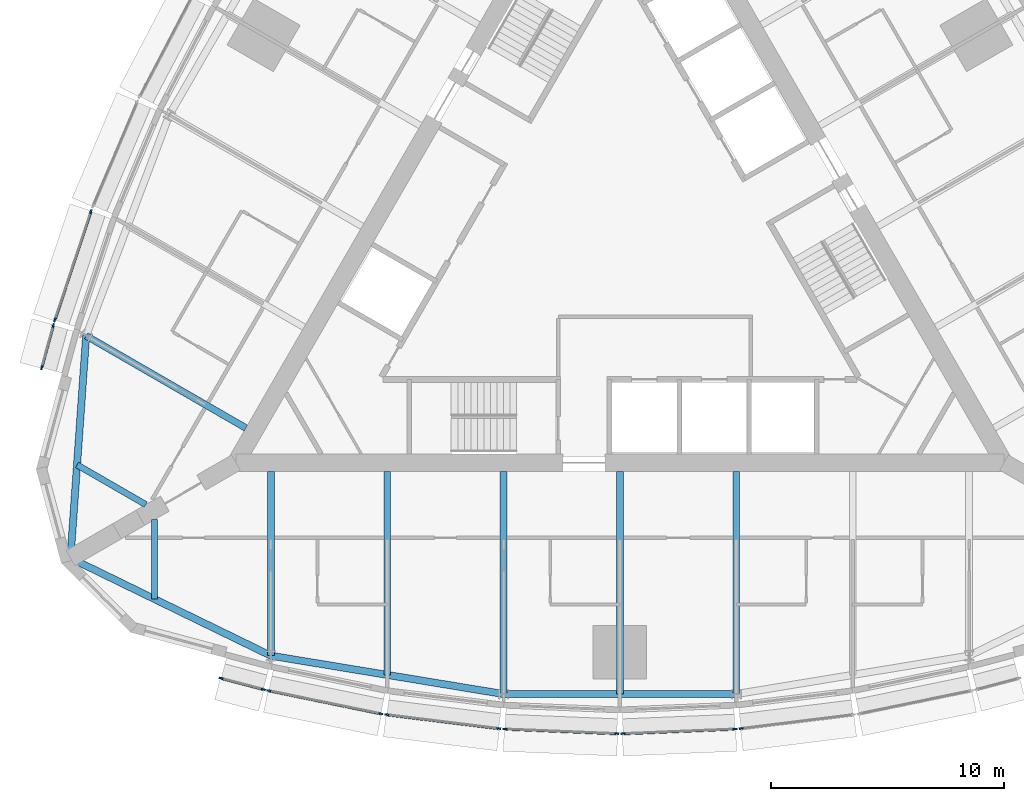
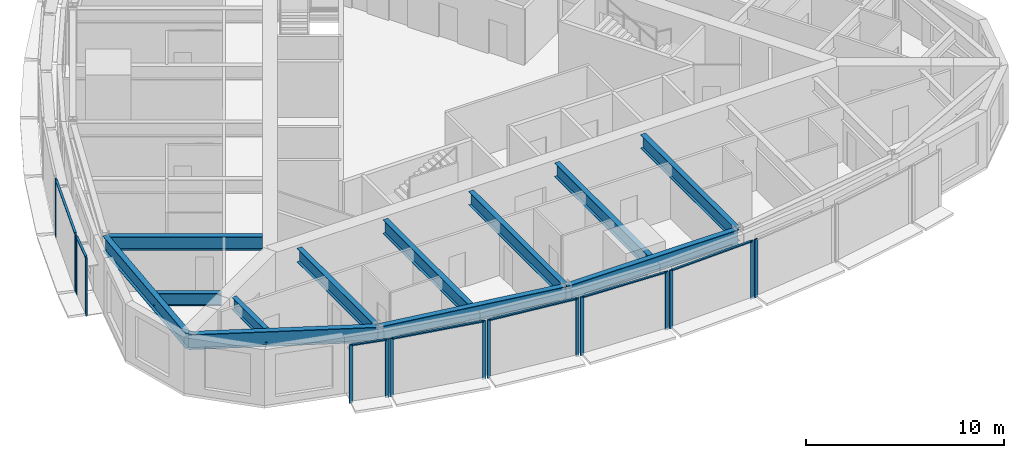
# One storey, part 2 of 15: 22 members, 12 beams, 8 elements without a shape of their own.
"""IFC4 building model written with IfcOpenShell, lengths in metres."""

from ifc_helpers import new_model, si_unit, direction, frame, origin, origin_2d, place, context, subcontext, project, spatial, rectangle, i_section, extrude, material, material_profile, profile_set, type_object, element, aggregate, save


model = new_model("IFC4")

# Units and contexts
model_context = context("Model", 3, precision=1e-05, world=origin(), true_north=direction((0.0, 1.0)))
body_context = subcontext(model_context, "Body", "Model", "MODEL_VIEW")
ifc_project = project(units=[si_unit("LENGTHUNIT", "METRE"), si_unit("AREAUNIT", "SQUARE_METRE"), si_unit("VOLUMEUNIT", "CUBIC_METRE"), si_unit("PLANEANGLEUNIT", "RADIAN"), si_unit("MASSUNIT", "GRAM", prefix="KILO")], contexts=[model_context])

# Site, building, storey
site_placement = place(None, origin())
site = spatial("IfcSite", under=ifc_project, at=site_placement, CompositionType="ELEMENT")
building_placement = place(site_placement, origin())
building = spatial("IfcBuilding", under=site, at=building_placement, Name="Trikona Tower", CompositionType="ELEMENT")
storey_placement = place(building_placement, frame((0.0, 0.0, 222.5)))
storey = spatial("IfcBuildingStorey", under=building, at=storey_placement, Name="L59", CompositionType="ELEMENT", Elevation=222.5)

# Curtain wall, members
ifc_material_1 = material(Name="Aluminium curtain wall system", Category="aluminium")
curtain_wall_type = type_object("IfcCurtainWallType", Name="Curtain wall DS3", PredefinedType="NOTDEFINED", material=ifc_material_1)
curtain_wall_1_placement = place(storey_placement, origin())
curtain_wall_1 = element("IfcCurtainWall", 1, at=curtain_wall_1_placement, inside=storey, type_object=curtain_wall_type, Name="Curtain wall DS3 L59", PredefinedType="NOTDEFINED")
ifc_material_2 = material(Name="Aluminium mullion, pale anodised", Category="aluminium")
ifc_material_profile_1 = material_profile(ifc_material_2, rectangle(XDim=0.070068359375, YDim=0.179931640625, at=origin_2d()), Name="MUL-DS3")
ifc_profile_set_1 = profile_set([ifc_material_profile_1], Name="Aluminium mullion, pale anodised")
member_type_1 = type_object("IfcMemberType", Name="Mullion DS3 70x180", PredefinedType="MULLION", material=ifc_profile_set_1)
member_1_placement = place(storey_placement, frame((-17.137451171875, -18.79248046875, 0.0), z_axis=(0.0, 0.0, 1.0), x_axis=(0.25478635579, 0.966997369647, 0.0)))
member_1 = element("IfcMember", 2, at=member_1_placement, type_object=member_type_1, Name="CW-DS3 mullion 1", PredefinedType="MULLION", context=body_context, shape_type="SweptSolid", body=[
    extrude(rectangle(XDim=0.070068359375, YDim=0.179931640625, at=origin_2d()), origin(), (0.0, 0.0, 1.0), 3.60009765625),
])
member_2_placement = place(storey_placement, frame((-15.321044921875, -19.27099609375, 0.0), z_axis=(0.0, 0.0, 1.0), x_axis=(0.25478635579, 0.966997369647, 0.0)))
member_2 = element("IfcMember", 3, at=member_2_placement, type_object=member_type_1, Name="CW-DS3 mullion 2", PredefinedType="MULLION", context=body_context, shape_type="SweptSolid", body=[
    extrude(rectangle(XDim=0.070068359375, YDim=0.179931640625, at=origin_2d()), origin(), (0.0, 0.0, 1.0), 3.60009765625),
])

curtain_wall_2_placement = place(storey_placement, origin())
curtain_wall_2 = element("IfcCurtainWall", 4, at=curtain_wall_2_placement, inside=storey, type_object=curtain_wall_type, Name="Curtain wall DS3 L59", PredefinedType="NOTDEFINED")
member_3_placement = place(storey_placement, frame((-15.08837890625, -19.325439453125, 0.0), z_axis=(0.0, 0.0, 1.0), x_axis=(0.201652920672, 0.979457043256, 0.0)))
member_3 = element("IfcMember", 5, at=member_3_placement, type_object=member_type_1, Name="CW-DS3 mullion 1", PredefinedType="MULLION", context=body_context, shape_type="SweptSolid", body=[
    extrude(rectangle(XDim=0.070068359375, YDim=0.179931640625, at=origin_2d()), origin(), (0.0, 0.0, 1.0), 3.60009765625),
])
member_4_placement = place(storey_placement, frame((-10.274658203125, -20.316650390625, 0.0), z_axis=(0.0, 0.0, 1.0), x_axis=(0.201652920672, 0.979457043256, 0.0)))
member_4 = element("IfcMember", 6, at=member_4_placement, type_object=member_type_1, Name="CW-DS3 mullion 2", PredefinedType="MULLION", context=body_context, shape_type="SweptSolid", body=[
    extrude(rectangle(XDim=0.070068359375, YDim=0.179931640625, at=origin_2d()), origin(), (0.0, 0.0, 1.0), 3.60009765625),
])

curtain_wall_3_placement = place(storey_placement, origin())
curtain_wall_3 = element("IfcCurtainWall", 7, at=curtain_wall_3_placement, inside=storey, type_object=curtain_wall_type, Name="Curtain wall DS3 L59", PredefinedType="NOTDEFINED")
member_5_placement = place(storey_placement, frame((-10.01611328125, -20.359130859375, 0.0), z_axis=(0.0, 0.0, 1.0), x_axis=(0.122610640458, 0.992454850785, 0.0)))
member_5 = element("IfcMember", 8, at=member_5_placement, type_object=member_type_1, Name="CW-DS3 mullion 1", PredefinedType="MULLION", context=body_context, shape_type="SweptSolid", body=[
    extrude(rectangle(XDim=0.070068359375, YDim=0.179931640625, at=origin_2d()), origin(), (0.0, 0.0, 1.0), 3.60009765625),
])
member_6_placement = place(storey_placement, frame((-5.20458984375, -20.95361328125, 0.0), z_axis=(0.0, 0.0, 1.0), x_axis=(0.122610640458, 0.992454850785, 0.0)))
member_6 = element("IfcMember", 9, at=member_6_placement, type_object=member_type_1, Name="CW-DS3 mullion 2", PredefinedType="MULLION", context=body_context, shape_type="SweptSolid", body=[
    extrude(rectangle(XDim=0.070068359375, YDim=0.179931640625, at=origin_2d()), origin(), (0.0, 0.0, 1.0), 3.60009765625),
])

curtain_wall_4_placement = place(storey_placement, origin())
curtain_wall_4 = element("IfcCurtainWall", 10, at=curtain_wall_4_placement, inside=storey, type_object=curtain_wall_type, Name="Curtain wall DS3 L59", PredefinedType="NOTDEFINED")
member_7_placement = place(storey_placement, frame((-4.942138671875, -20.97509765625, 0.0), z_axis=(0.0, 0.0, 1.0), x_axis=(0.04115278907, 0.999152865157, 0.0)))
member_7 = element("IfcMember", 11, at=member_7_placement, type_object=member_type_1, Name="CW-DS3 mullion 1", PredefinedType="MULLION", context=body_context, shape_type="SweptSolid", body=[
    extrude(rectangle(XDim=0.070068359375, YDim=0.179931640625, at=origin_2d()), origin(), (0.0, 0.0, 1.0), 3.60009765625),
])
member_8_placement = place(storey_placement, frame((-0.132080078125, -21.17333984375, 0.0), z_axis=(0.0, 0.0, 1.0), x_axis=(0.04115278907, 0.999152865157, 0.0)))
member_8 = element("IfcMember", 12, at=member_8_placement, type_object=member_type_1, Name="CW-DS3 mullion 2", PredefinedType="MULLION", context=body_context, shape_type="SweptSolid", body=[
    extrude(rectangle(XDim=0.070068359375, YDim=0.179931640625, at=origin_2d()), origin(), (0.0, 0.0, 1.0), 3.60009765625),
])

curtain_wall_5_placement = place(storey_placement, origin())
curtain_wall_5 = element("IfcCurtainWall", 13, at=curtain_wall_5_placement, inside=storey, type_object=curtain_wall_type, Name="Curtain wall DS3 L59", PredefinedType="NOTDEFINED")
member_9_placement = place(storey_placement, frame((0.132080078125, -21.17333984375, 0.0), z_axis=(0.0, 0.0, 1.0), x_axis=(-0.04115278907, 0.999152865157, 0.0)))
member_9 = element("IfcMember", 14, at=member_9_placement, type_object=member_type_1, Name="CW-DS3 mullion 1", PredefinedType="MULLION", context=body_context, shape_type="SweptSolid", body=[
    extrude(rectangle(XDim=0.070068359375, YDim=0.179931640625, at=origin_2d()), origin(), (0.0, 0.0, 1.0), 3.60009765625),
])
member_10_placement = place(storey_placement, frame((4.942138671875, -20.97509765625, 0.0), z_axis=(0.0, 0.0, 1.0), x_axis=(-0.04115278907, 0.999152865157, 0.0)))
member_10 = element("IfcMember", 15, at=member_10_placement, type_object=member_type_1, Name="CW-DS3 mullion 2", PredefinedType="MULLION", context=body_context, shape_type="SweptSolid", body=[
    extrude(rectangle(XDim=0.070068359375, YDim=0.179931640625, at=origin_2d()), origin(), (0.0, 0.0, 1.0), 3.60009765625),
])

# Curtain wall, member
curtain_wall_6_placement = place(storey_placement, origin())
curtain_wall_6 = element("IfcCurtainWall", 16, at=curtain_wall_6_placement, inside=storey, type_object=curtain_wall_type, Name="Curtain wall DS3 L59", PredefinedType="NOTDEFINED")
member_11_placement = place(storey_placement, frame((5.20458984375, -20.95361328125, 0.0), z_axis=(0.0, 0.0, 1.0), x_axis=(-0.122610640458, 0.992454850785, 0.0)))
member_11 = element("IfcMember", 17, at=member_11_placement, type_object=member_type_1, Name="CW-DS3 mullion 1", PredefinedType="MULLION", context=body_context, shape_type="SweptSolid", body=[
    extrude(rectangle(XDim=0.070068359375, YDim=0.179931640625, at=origin_2d()), origin(), (0.0, 0.0, 1.0), 3.60009765625),
])
aggregate(curtain_wall_6, [member_11])

# Curtain wall, members
curtain_wall_7_placement = place(storey_placement, origin())
curtain_wall_7 = element("IfcCurtainWall", 18, at=curtain_wall_7_placement, inside=storey, type_object=curtain_wall_type, Name="Curtain wall DS3 L59", PredefinedType="NOTDEFINED")
member_12_placement = place(storey_placement, frame((-22.73193359375, 1.26025390625, 0.0), z_axis=(0.0, 0.0, 1.0), x_axis=(0.949065766708, -0.315078038687, 0.0)))
member_12 = element("IfcMember", 19, at=member_12_placement, type_object=member_type_1, Name="CW-DS3 mullion 1", PredefinedType="MULLION", context=body_context, shape_type="SweptSolid", body=[
    extrude(rectangle(XDim=0.070068359375, YDim=0.179931640625, at=origin_2d()), origin(), (0.0, 0.0, 1.0), 3.60009765625),
])
member_13_placement = place(storey_placement, frame((-24.280517578125, -3.404296875, 0.0), z_axis=(0.0, 0.0, 1.0), x_axis=(0.949065766708, -0.315078038687, 0.0)))
member_13 = element("IfcMember", 20, at=member_13_placement, type_object=member_type_1, Name="CW-DS3 mullion 2", PredefinedType="MULLION", context=body_context, shape_type="SweptSolid", body=[
    extrude(rectangle(XDim=0.070068359375, YDim=0.179931640625, at=origin_2d()), origin(), (0.0, 0.0, 1.0), 3.60009765625),
])

curtain_wall_8_placement = place(storey_placement, origin())
curtain_wall_8 = element("IfcCurtainWall", 21, at=curtain_wall_8_placement, inside=storey, type_object=curtain_wall_type, Name="Curtain wall DS3 L59", PredefinedType="NOTDEFINED")
member_14_placement = place(storey_placement, frame((-24.349609375, -3.633056640625, 0.0), z_axis=(0.0, 0.0, 1.0), x_axis=(0.964838403494, -0.262843784676, 0.0)))
member_14 = element("IfcMember", 22, at=member_14_placement, type_object=member_type_1, Name="CW-DS3 mullion 1", PredefinedType="MULLION", context=body_context, shape_type="SweptSolid", body=[
    extrude(rectangle(XDim=0.070068359375, YDim=0.179931640625, at=origin_2d()), origin(), (0.0, 0.0, 1.0), 3.60009765625),
])
member_15_placement = place(storey_placement, frame((-24.843505859375, -5.4453125, 0.0), z_axis=(0.0, 0.0, 1.0), x_axis=(0.964838403494, -0.262843784676, 0.0)))
member_15 = element("IfcMember", 23, at=member_15_placement, type_object=member_type_1, Name="CW-DS3 mullion 2", PredefinedType="MULLION", context=body_context, shape_type="SweptSolid", body=[
    extrude(rectangle(XDim=0.070068359375, YDim=0.179931640625, at=origin_2d()), origin(), (0.0, 0.0, 1.0), 3.60009765625),
])

# Beams
ifc_material_3 = material(Name="Steel ASTM A992 Grade 50", Category="steel")
ifc_material_profile_2 = material_profile(ifc_material_3, i_section(OverallWidth=0.2666015625, OverallDepth=0.76953125, WebThickness=0.015625, FlangeThickness=0.025390625, at=origin_2d()), Name="W30X132")
ifc_profile_set_2 = profile_set([ifc_material_profile_2], Name="Steel ASTM A992 Grade 50")
beam_type_1 = type_object("IfcBeamType", Name="Steel beam W30x132 (wedge)", PredefinedType="BEAM", material=ifc_profile_set_2)
beam_1_placement = place(storey_placement, frame((-20.0, -11.97998046875, 3.05029296875), z_axis=(0.0, -1.0, 0.0), x_axis=(1.0, 0.0, 0.0)))
element("IfcBeam", 24, at=beam_1_placement, inside=storey, type_object=beam_type_1, Name="Floor beam L60 F1 u-20", PredefinedType="BEAM", context=body_context, shape_type="SweptSolid", body=[
    extrude(i_section(OverallWidth=0.2666015625, OverallDepth=0.76953125, WebThickness=0.015625, FlangeThickness=0.025390625, at=origin_2d()), origin(), (0.0, 0.0, 1.0), 3.40966796875),
])
beam_2_placement = place(storey_placement, frame((-20.375, -11.33056640625, 3.05029296875), z_axis=(-0.865995995653, 0.500050932918, 0.0), x_axis=(-0.500050932918, -0.865995995653, 0.0)))
element("IfcBeam", 25, at=beam_2_placement, inside=storey, type_object=beam_type_1, Name="Floor beam L60 F3 u20", PredefinedType="BEAM", context=body_context, shape_type="SweptSolid", body=[
    extrude(i_section(OverallWidth=0.2666015625, OverallDepth=0.76953125, WebThickness=0.015625, FlangeThickness=0.025390625, at=origin_2d()), origin(), (0.0, 0.0, 1.0), 3.409912109375),
])
ifc_material_4 = material(Name="Steel ASTM A992 Grade 50", Category="steel")
ifc_material_profile_3 = material_profile(ifc_material_4, i_section(OverallWidth=0.2919921875, OverallDepth=0.845703125, WebThickness=0.015380859375, FlangeThickness=0.0244140625, at=origin_2d()), Name="W33X141")
ifc_profile_set_3 = profile_set([ifc_material_profile_3], Name="Steel ASTM A992 Grade 50")
beam_type_2 = type_object("IfcBeamType", Name="Steel beam W33x141 (radial typ)", PredefinedType="BEAM", material=ifc_profile_set_3)
beam_3_placement = place(storey_placement, frame((-15.0, -9.9013671875, 3.01220703125), z_axis=(0.0, -1.0, 0.0), x_axis=(1.0, 0.0, 0.0)))
element("IfcBeam", 26, at=beam_3_placement, inside=storey, type_object=beam_type_2, Name="Floor beam L60 F1 u-15", PredefinedType="BEAM", context=body_context, shape_type="SweptSolid", body=[
    extrude(i_section(OverallWidth=0.2919921875, OverallDepth=0.845703125, WebThickness=0.015380859375, FlangeThickness=0.0244140625, at=origin_2d()), origin(), (0.0, 0.0, 1.0), 7.923583984375),
])
beam_4_placement = place(storey_placement, frame((-10.0, -9.9013671875, 3.01220703125), z_axis=(0.0, -1.0, 0.0), x_axis=(1.0, 0.0, 0.0)))
element("IfcBeam", 27, at=beam_4_placement, inside=storey, type_object=beam_type_2, Name="Floor beam L60 F1 u-10", PredefinedType="BEAM", context=body_context, shape_type="SweptSolid", body=[
    extrude(i_section(OverallWidth=0.2919921875, OverallDepth=0.845703125, WebThickness=0.015380859375, FlangeThickness=0.0244140625, at=origin_2d()), origin(), (0.0, 0.0, 1.0), 8.7470703125),
])
for number, where, z_axis, x_axis, name in (
    (28, (-5.0, -9.9013671875, 3.01220703125), (0.0, -1.0, 0.0), (1.0, 0.0, 0.0), "Floor beam L60 F1 u-5"),
    (29, (0.0, -9.9013671875, 3.01220703125), (0.0, -1.0, 0.0), (1.0, 0.0, 0.0), "Floor beam L60 F1 u0"),
    (30, (5.0, -9.9013671875, 3.01220703125), (0.0, -1.0, 0.0), (1.0, 0.0, 0.0), "Floor beam L60 F1 u5"),
):
    element("IfcBeam", number, at=place(storey_placement, frame(where, z_axis=z_axis, x_axis=x_axis)), inside=storey, type_object=beam_type_2, Name=name, PredefinedType="BEAM", context=body_context, shape_type="SweptSolid", body=[
        extrude(i_section(OverallWidth=0.2919921875, OverallDepth=0.845703125, WebThickness=0.015380859375, FlangeThickness=0.0244140625, at=origin_2d()), origin(), (0.0, 0.0, 1.0), 9.570556640625),
    ])
beam_5_placement = place(storey_placement, frame((-16.07470703125, -8.039794921875, 3.01220703125), z_axis=(-0.866019853763, 0.500009612796, 0.0), x_axis=(-0.500009612796, -0.866019853763, 0.0)))
element("IfcBeam", 31, at=beam_5_placement, inside=storey, type_object=beam_type_2, Name="Floor beam L60 F3 u15", PredefinedType="BEAM", context=body_context, shape_type="SweptSolid", body=[
    extrude(i_section(OverallWidth=0.2919921875, OverallDepth=0.845703125, WebThickness=0.015380859375, FlangeThickness=0.0244140625, at=origin_2d()), origin(), (0.0, 0.0, 1.0), 7.923583984375),
])
ifc_material_5 = material(Name="Steel ASTM A992 Grade 50", Category="steel")
ifc_material_profile_4 = material_profile(ifc_material_5, i_section(OverallWidth=0.307373046875, OverallDepth=0.922119140625, WebThickness=0.018310546875, FlangeThickness=0.030029296875, at=origin_2d()), Name="W36X182")
ifc_profile_set_4 = profile_set([ifc_material_profile_4], Name="Steel ASTM A992 Grade 50")
beam_type_3 = type_object("IfcBeamType", Name="Steel beam W36x182 (spandrel mid)", PredefinedType="SPANDREL", material=ifc_profile_set_4)
beam_6_placement = place(storey_placement, frame((-23.6103515625, -13.63134765625, 2.97412109375), z_axis=(0.899038503257, -0.437869580652, 0.0), x_axis=(0.437869580652, 0.899038503257, 0.0)))
element("IfcBeam", 32, at=beam_6_placement, inside=storey, type_object=beam_type_3, Name="Spandrel beam L60 F1-1", PredefinedType="SPANDREL", context=body_context, shape_type="SweptSolid", body=[
    extrude(i_section(OverallWidth=0.307373046875, OverallDepth=0.922119140625, WebThickness=0.018310546875, FlangeThickness=0.030029296875, at=origin_2d()), origin(), (0.0, 0.0, 1.0), 9.577392578125),
])
beam_7_placement = place(storey_placement, frame((-15.0, -17.824951171875, 2.97412109375), z_axis=(0.986707228918, -0.162507982575, 0.0), x_axis=(0.162507982575, 0.986707228918, 0.0)))
element("IfcBeam", 33, at=beam_7_placement, inside=storey, type_object=beam_type_3, Name="Spandrel beam L60 F1-2", PredefinedType="SPANDREL", context=body_context, shape_type="SweptSolid", body=[
    extrude(i_section(OverallWidth=0.307373046875, OverallDepth=0.922119140625, WebThickness=0.018310546875, FlangeThickness=0.030029296875, at=origin_2d()), origin(), (0.0, 0.0, 1.0), 10.134765625),
])
beam_8_placement = place(storey_placement, frame((-5.0, -19.471923828125, 2.97412109375), z_axis=(1.0, 0.0, 0.0), x_axis=(0.0, 1.0, 0.0)))
element("IfcBeam", 34, at=beam_8_placement, inside=storey, type_object=beam_type_3, Name="Spandrel beam L60 F1-3", PredefinedType="SPANDREL", context=body_context, shape_type="SweptSolid", body=[
    extrude(i_section(OverallWidth=0.307373046875, OverallDepth=0.922119140625, WebThickness=0.018310546875, FlangeThickness=0.030029296875, at=origin_2d()), origin(), (0.0, 0.0, 1.0), 10.0),
])
beam_9_placement = place(storey_placement, frame((-22.936767578125, -4.077880859375, 2.97412109375), z_axis=(-0.07033215835, -0.997523627541, 0.0), x_axis=(0.997523627541, -0.07033215835, 0.0)))
element("IfcBeam", 35, at=beam_9_placement, inside=storey, type_object=beam_type_3, Name="Spandrel beam L60 F3-5", PredefinedType="SPANDREL", context=body_context, shape_type="SweptSolid", body=[
    extrude(i_section(OverallWidth=0.307373046875, OverallDepth=0.922119140625, WebThickness=0.018310546875, FlangeThickness=0.030029296875, at=origin_2d()), origin(), (0.0, 0.0, 1.0), 9.5771484375),
])

# Member
ifc_material_6 = material(Name="Aluminium transom, pale anodised", Category="aluminium")
ifc_material_profile_5 = material_profile(ifc_material_6, rectangle(XDim=0.1201171875, YDim=0.070068359375, at=origin_2d()), Name="TRN-DS3")
ifc_profile_set_5 = profile_set([ifc_material_profile_5], Name="Aluminium transom, pale anodised")
member_type_2 = type_object("IfcMemberType", Name="Transom DS3 70x120", PredefinedType="USERDEFINED", material=ifc_profile_set_5)
member_16_placement = place(storey_placement, frame((-17.103515625, -18.80126953125, 3.56494140625), z_axis=(0.966999290683, -0.254779064719, 0.0), x_axis=(0.254779064719, 0.966999290683, 0.0)))
member_16 = element("IfcMember", 36, at=member_16_placement, type_object=member_type_2, Name="CW-DS3 transom 1.1", ObjectType="TRANSOM", PredefinedType="USERDEFINED", context=body_context, shape_type="SweptSolid", body=[
    extrude(rectangle(XDim=0.1201171875, YDim=0.070068359375, at=origin_2d()), origin(), (0.0, 0.0, 1.0), 1.80810546875),
])

aggregate(curtain_wall_1, [member_1, member_2, member_16])

member_17_placement = place(storey_placement, frame((-15.05419921875, -19.33251953125, 3.56494140625), z_axis=(0.979454408611, -0.201665717099, 0.0), x_axis=(0.201665717099, 0.979454408611, 0.0)))
member_17 = element("IfcMember", 37, at=member_17_placement, type_object=member_type_2, Name="CW-DS3 transom 1.1", ObjectType="TRANSOM", PredefinedType="USERDEFINED", context=body_context, shape_type="SweptSolid", body=[
    extrude(rectangle(XDim=0.1201171875, YDim=0.070068359375, at=origin_2d()), origin(), (0.0, 0.0, 1.0), 4.844970703125),
])

aggregate(curtain_wall_2, [member_3, member_4, member_17])

member_18_placement = place(storey_placement, frame((-9.9814453125, -20.363525390625, 3.56494140625), z_axis=(0.992459172161, -0.122575656611, 0.0), x_axis=(0.122575656611, 0.992459172161, 0.0)))
member_18 = element("IfcMember", 38, at=member_18_placement, type_object=member_type_2, Name="CW-DS3 transom 1.1", ObjectType="TRANSOM", PredefinedType="USERDEFINED", context=body_context, shape_type="SweptSolid", body=[
    extrude(rectangle(XDim=0.1201171875, YDim=0.070068359375, at=origin_2d()), origin(), (0.0, 0.0, 1.0), 4.7783203125),
])

aggregate(curtain_wall_3, [member_5, member_6, member_18])

member_19_placement = place(storey_placement, frame((-4.9072265625, -20.9765625, 3.56494140625), z_axis=(0.99915223027, -0.04116820067, 0.0), x_axis=(0.04116820067, 0.99915223027, 0.0)))
member_19 = element("IfcMember", 39, at=member_19_placement, type_object=member_type_2, Name="CW-DS3 transom 1.1", ObjectType="TRANSOM", PredefinedType="USERDEFINED", context=body_context, shape_type="SweptSolid", body=[
    extrude(rectangle(XDim=0.1201171875, YDim=0.070068359375, at=origin_2d()), origin(), (0.0, 0.0, 1.0), 4.744140625),
])

aggregate(curtain_wall_4, [member_7, member_8, member_19])

member_20_placement = place(storey_placement, frame((0.1669921875, -21.171875, 3.56494140625), z_axis=(0.99915223027, 0.04116820067, 0.0), x_axis=(-0.04116820067, 0.99915223027, 0.0)))
member_20 = element("IfcMember", 40, at=member_20_placement, type_object=member_type_2, Name="CW-DS3 transom 1.1", ObjectType="TRANSOM", PredefinedType="USERDEFINED", context=body_context, shape_type="SweptSolid", body=[
    extrude(rectangle(XDim=0.1201171875, YDim=0.070068359375, at=origin_2d()), origin(), (0.0, 0.0, 1.0), 4.744140625),
])

aggregate(curtain_wall_5, [member_9, member_10, member_20])

member_21_placement = place(storey_placement, frame((-22.7431640625, 1.22705078125, 3.56494140625), z_axis=(-0.315063426034, -0.949070617802, 0.0), x_axis=(0.949070617802, -0.315063426034, 0.0)))
member_21 = element("IfcMember", 41, at=member_21_placement, type_object=member_type_2, Name="CW-DS3 transom 1.1", ObjectType="TRANSOM", PredefinedType="USERDEFINED", context=body_context, shape_type="SweptSolid", body=[
    extrude(rectangle(XDim=0.1201171875, YDim=0.070068359375, at=origin_2d()), origin(), (0.0, 0.0, 1.0), 4.8447265625),
])

aggregate(curtain_wall_7, [member_12, member_13, member_21])

member_22_placement = place(storey_placement, frame((-24.35888671875, -3.666748046875, 3.56494140625), z_axis=(-0.262843243155, -0.964838551017, 0.0), x_axis=(0.964838551017, -0.262843243155, 0.0)))
member_22 = element("IfcMember", 42, at=member_22_placement, type_object=member_type_2, Name="CW-DS3 transom 1.1", ObjectType="TRANSOM", PredefinedType="USERDEFINED", context=body_context, shape_type="SweptSolid", body=[
    extrude(rectangle(XDim=0.1201171875, YDim=0.070068359375, at=origin_2d()), origin(), (0.0, 0.0, 1.0), 1.808349609375),
])

aggregate(curtain_wall_8, [member_14, member_15, member_22])

save(model, "model.ifc")
